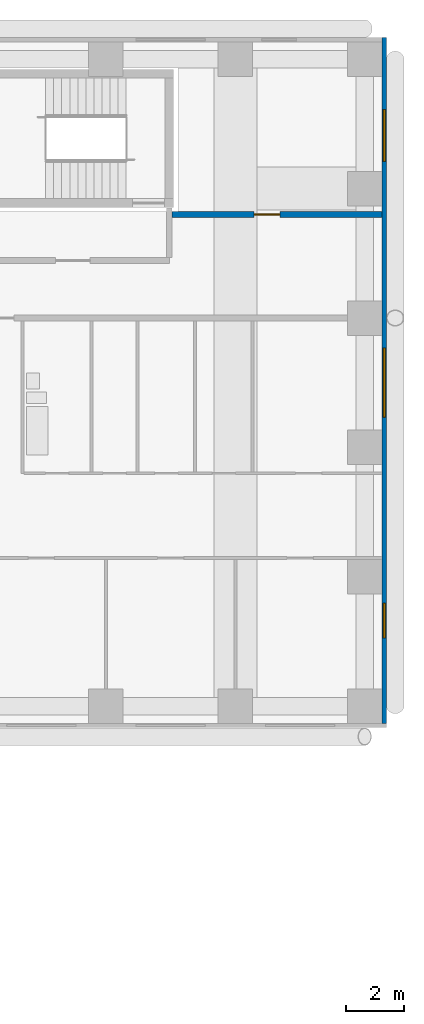
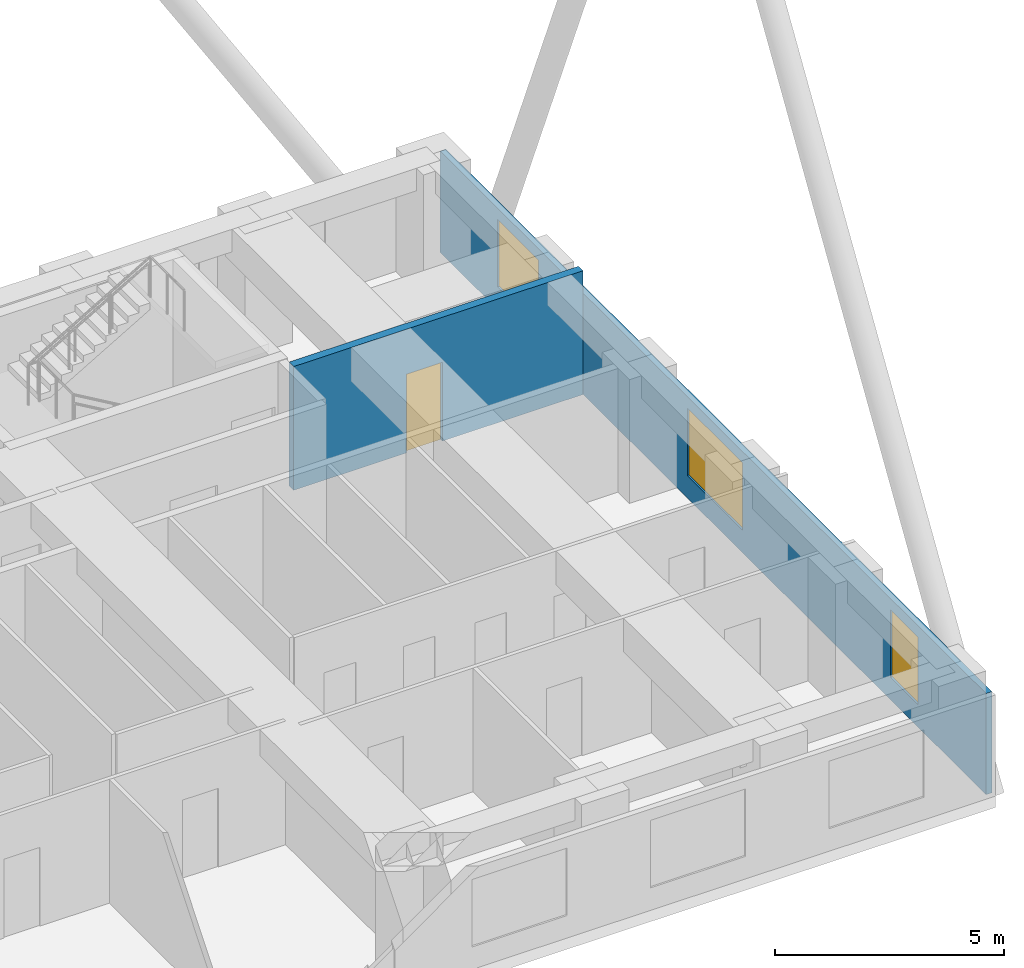
# One storey, part 10 of 13: 3 windows, 2 walls, 1 door, 4 openings.
"""IFC4 building model written with IfcOpenShell, lengths in metres."""

from ifc_helpers import new_model, si_unit, direction, frame, frame_2d, origin, place, context, subcontext, project, spatial, rectangle, extrude, material, layer, layer_set, type_object, element, fill, save


model = new_model("IFC4")

# Units and contexts
model_context = context("Model", 3, precision=1e-05, world=origin(), true_north=direction((0.0, 1.0)))
body_context = subcontext(model_context, "Body", "Model", "MODEL_VIEW")
ifc_project = project(units=[si_unit("LENGTHUNIT", "METRE"), si_unit("AREAUNIT", "SQUARE_METRE"), si_unit("VOLUMEUNIT", "CUBIC_METRE"), si_unit("PLANEANGLEUNIT", "RADIAN"), si_unit("MASSUNIT", "GRAM", prefix="KILO")], contexts=[model_context])

# Site, building, storey
site_placement = place(None, origin())
site = spatial("IfcSite", under=ifc_project, at=site_placement, CompositionType="ELEMENT")
building_placement = place(site_placement, origin())
building = spatial("IfcBuilding", under=site, at=building_placement, Name="Firuza Court", CompositionType="ELEMENT")
storey_placement = place(building_placement, frame((0.0, 0.0, 50.60009765625)))
storey = spatial("IfcBuildingStorey", under=building, at=storey_placement, Name="L11", CompositionType="ELEMENT", Elevation=50.60009765625)

# Wall, opening, door
ifc_material_1 = material(Name="Blockwork, plastered both sides", Category="masonry")
ifc_layer_1 = layer(ifc_material_1, 0.199951171875)
ifc_layer_set_1 = layer_set([ifc_layer_1], Name="Blockwork, plastered both sides")
wall_type_1 = type_object("IfcWallType", Name="Corridor wall 200", PredefinedType="PARTITIONING", material=ifc_layer_set_1)
wall_1_placement = place(storey_placement, frame((60.800048828125, 53.10009765625, 0.0), z_axis=(0.0, 0.0, 1.0), x_axis=(1.0, 0.0, 0.0)))
wall_1 = element("IfcWall", 1, at=wall_1_placement, inside=storey, type_object=wall_type_1, Name="Corridor wall 200 L11", PredefinedType="PARTITIONING", context=body_context, shape_type="SweptSolid", body=[
    extrude(rectangle(XDim=7.300048828125, YDim=0.199951171875, at=frame_2d((3.64990234375, 0.0))), origin(), (0.0, 0.0, 1.0), 3.2998046875),
])
opening_1_placement = place(wall_1_placement, frame((2.85009765625, 0.0, 0.0)))
opening_1 = element("IfcOpeningElement", 2, at=opening_1_placement, cuts=wall_1, Name="Opening D11079", PredefinedType="OPENING", context=body_context, shape_type="SweptSolid", body=[
    extrude(rectangle(XDim=0.89990234375, YDim=2.10009765625, at=frame_2d((0.449951171875, 1.050048828125))), frame((0.0, 0.11181640625, 0.0), z_axis=(0.0, -1.0, 0.0), x_axis=(1.0, 0.0, 0.0)), (0.0, 0.0, 1.0), 0.223876953125),
])
ifc_material_2 = material(Name="Timber door leaf in hardwood frame", Category="wood")
door_type = type_object("IfcDoorType", Name="Room door 900 EI 30", OperationType="SINGLE_SWING_LEFT", PredefinedType="DOOR", material=ifc_material_2)
door_placement = place(opening_1_placement, origin())
door = element("IfcDoor", 3, at=door_placement, inside=storey, type_object=door_type, Name="Meeting room door", OperationType="SINGLE_SWING_LEFT", OverallHeight=2.10009765625, OverallWidth=0.89990234375, PredefinedType="DOOR", context=body_context, shape_type="SweptSolid", body=[
    extrude(rectangle(XDim=0.89990234375, YDim=2.10009765625, at=frame_2d((0.449951171875, 1.050048828125))), frame((0.0, 0.02490234375, 0.0), z_axis=(0.0, -1.0, 0.0), x_axis=(1.0, 0.0, 0.0)), (0.0, 0.0, 1.0), 0.050048828125),
])
fill(opening_1, door)

# Wall, openings, windows
ifc_material_3 = material(Name="Ceramic tile", Category="ceramic")
ifc_layer_2 = layer(ifc_material_3, 0.02001953125)
ifc_material_4 = material(Name="Mineral wool insulation", Category="insulation")
ifc_layer_3 = layer(ifc_material_4, 0.050048828125)
ifc_material_5 = material(Name="Concrete C40/50 precast", Category="concrete")
ifc_layer_4 = layer(ifc_material_5, 0.080078125)
ifc_layer_set_2 = layer_set([ifc_layer_2, ifc_layer_3, ifc_layer_4], Name="Concrete C40/50 precast")
wall_type_2 = type_object("IfcWallType", Name="Precast cladding wall with turquoise TILE PANEL face 150", PredefinedType="STANDARD", material=ifc_layer_set_2)
wall_2_placement = place(storey_placement, frame((68.175048828125, 35.39990234375, 0.0), z_axis=(0.0, 0.0, 1.0), x_axis=(0.0, 1.0, 0.0)))
wall_2 = element("IfcWall", 4, at=wall_2_placement, inside=storey, type_object=wall_type_2, Name="Facade wall L11 E", PredefinedType="STANDARD", context=body_context, shape_type="SweptSolid", body=[
    extrude(rectangle(XDim=23.85009765625, YDim=0.14990234375, at=frame_2d((11.925048828125, 0.0))), origin(), (0.0, 0.0, 1.0), 2.699951171875),
])
opening_2_placement = place(wall_2_placement, frame((2.976806640625, 0.0, 0.60009765625)))
opening_2 = element("IfcOpeningElement", 5, at=opening_2_placement, cuts=wall_2, Name="Opening W8", PredefinedType="OPENING", context=body_context, shape_type="SweptSolid", body=[
    extrude(rectangle(XDim=1.199951171875, YDim=1.800048828125, at=frame_2d((0.60009765625, 0.89990234375))), frame((0.0, 0.0869140625, 0.0), z_axis=(0.0, -1.0, 0.0), x_axis=(1.0, 0.0, 0.0)), (0.0, 0.0, 1.0), 0.173828125),
])
opening_3_placement = place(wall_2_placement, frame((10.64990234375, 0.0, 0.60009765625)))
opening_3 = element("IfcOpeningElement", 6, at=opening_3_placement, cuts=wall_2, Name="Opening W1", PredefinedType="OPENING", context=body_context, shape_type="SweptSolid", body=[
    extrude(rectangle(XDim=2.39990234375, YDim=1.800048828125, at=frame_2d((1.199951171875, 0.89990234375))), frame((0.0, 0.0869140625, 0.0), z_axis=(0.0, -1.0, 0.0), x_axis=(1.0, 0.0, 0.0)), (0.0, 0.0, 1.0), 0.173828125),
])
opening_4_placement = place(wall_2_placement, frame((19.545166015625, 0.0, 0.60009765625)))
opening_4 = element("IfcOpeningElement", 7, at=opening_4_placement, cuts=wall_2, Name="Opening W7", PredefinedType="OPENING", context=body_context, shape_type="SweptSolid", body=[
    extrude(rectangle(XDim=1.800048828125, YDim=1.800048828125, at=frame_2d((0.89990234375, 0.89990234375))), frame((0.0, 0.0869140625, 0.0), z_axis=(0.0, -1.0, 0.0), x_axis=(1.0, 0.0, 0.0)), (0.0, 0.0, 1.0), 0.173828125),
])
ifc_material_6 = material(Name="Aluminium frame, triple clear glazing", Category="aluminium")
window_type_1 = type_object("IfcWindowType", Name="Window W1 2400 x 1800", PartitioningType="SINGLE_PANEL", PredefinedType="WINDOW", material=ifc_material_6)
window_1_placement = place(opening_3_placement, origin())
window_1 = element("IfcWindow", 8, at=window_1_placement, inside=storey, type_object=window_type_1, Name="Window L11", OverallHeight=1.800048828125, OverallWidth=2.39990234375, PartitioningType="SINGLE_PANEL", PredefinedType="WINDOW", context=body_context, shape_type="SweptSolid", body=[
    extrude(rectangle(XDim=2.39990234375, YDim=1.800048828125, at=frame_2d((1.199951171875, 0.89990234375))), frame((0.0, 0.030029296875, 0.0), z_axis=(0.0, -1.0, 0.0), x_axis=(1.0, 0.0, 0.0)), (0.0, 0.0, 1.0), 0.06005859375),
])
fill(opening_3, window_1)
ifc_material_7 = material(Name="Aluminium frame, triple clear glazing", Category="aluminium")
window_type_2 = type_object("IfcWindowType", Name="Window W7 1800 x 1800", PartitioningType="SINGLE_PANEL", PredefinedType="WINDOW", material=ifc_material_7)
window_2_placement = place(opening_4_placement, origin())
window_2 = element("IfcWindow", 9, at=window_2_placement, inside=storey, type_object=window_type_2, Name="Window L11", OverallHeight=1.800048828125, OverallWidth=1.800048828125, PartitioningType="SINGLE_PANEL", PredefinedType="WINDOW", context=body_context, shape_type="SweptSolid", body=[
    extrude(rectangle(XDim=1.800048828125, YDim=1.800048828125, at=frame_2d((0.89990234375, 0.89990234375))), frame((0.0, 0.030029296875, 0.0), z_axis=(0.0, -1.0, 0.0), x_axis=(1.0, 0.0, 0.0)), (0.0, 0.0, 1.0), 0.06005859375),
])
fill(opening_4, window_2)
ifc_material_8 = material(Name="Aluminium frame, triple clear glazing", Category="aluminium")
window_type_3 = type_object("IfcWindowType", Name="Window W8 1200 x 1800", PartitioningType="SINGLE_PANEL", PredefinedType="WINDOW", material=ifc_material_8)
window_3_placement = place(opening_2_placement, origin())
window_3 = element("IfcWindow", 10, at=window_3_placement, inside=storey, type_object=window_type_3, Name="Window L11", OverallHeight=1.800048828125, OverallWidth=1.199951171875, PartitioningType="SINGLE_PANEL", PredefinedType="WINDOW", context=body_context, shape_type="SweptSolid", body=[
    extrude(rectangle(XDim=1.199951171875, YDim=1.800048828125, at=frame_2d((0.60009765625, 0.89990234375))), frame((0.0, 0.030029296875, 0.0), z_axis=(0.0, -1.0, 0.0), x_axis=(1.0, 0.0, 0.0)), (0.0, 0.0, 1.0), 0.06005859375),
])
fill(opening_2, window_3)

save(model, "model.ifc")
